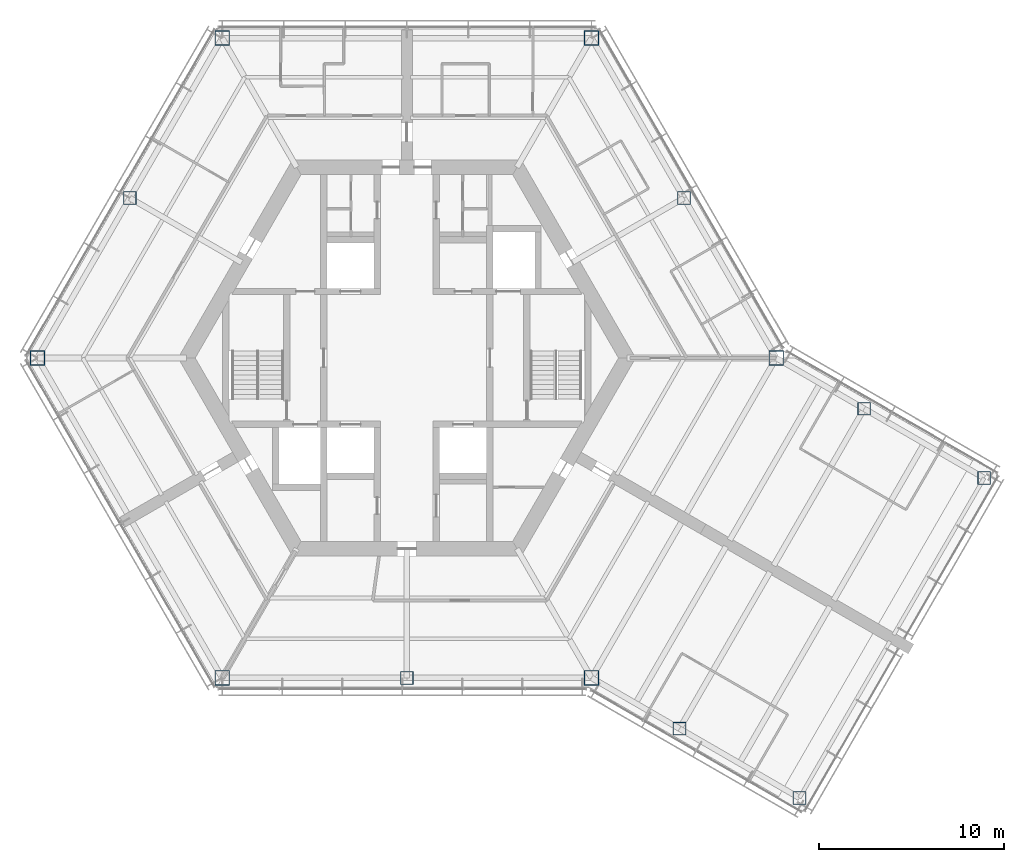
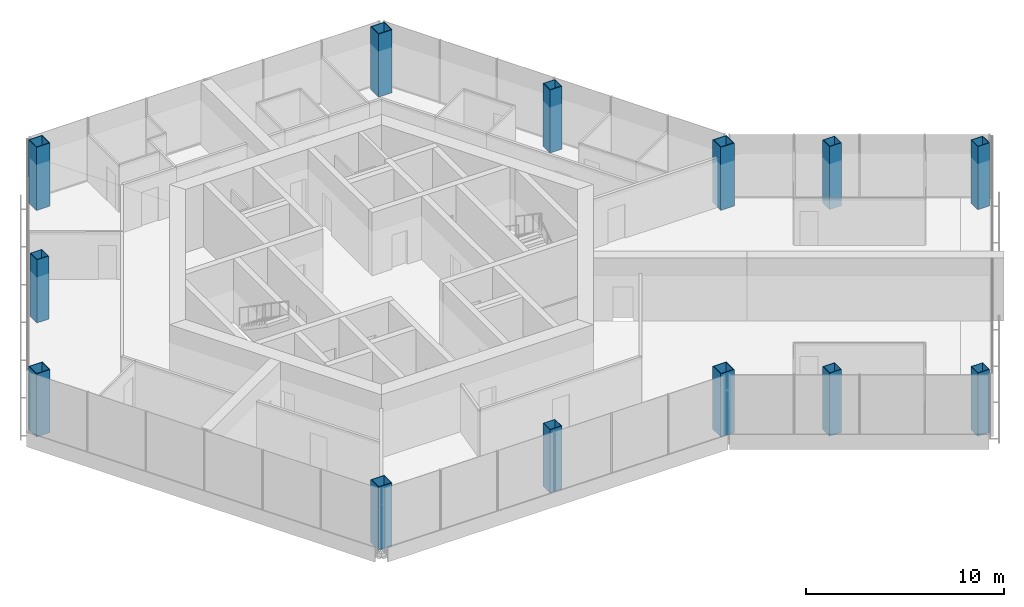
# One storey, part 1 of 15: 13 columns.
"""IFC4 building model written with IfcOpenShell, lengths in metres."""

from ifc_helpers import new_model, si_unit, direction, frame, origin, origin_2d, place, context, subcontext, project, spatial, hollow_rectangle, extrude, material, material_profile, profile_set, type_object, element, save


model = new_model("IFC4")

# Units and contexts
model_context = context("Model", 3, precision=1e-05, world=origin(), true_north=direction((0.0, 1.0)))
body_context = subcontext(model_context, "Body", "Model", "MODEL_VIEW")
ifc_project = project(units=[si_unit("LENGTHUNIT", "METRE"), si_unit("AREAUNIT", "SQUARE_METRE"), si_unit("VOLUMEUNIT", "CUBIC_METRE"), si_unit("PLANEANGLEUNIT", "RADIAN"), si_unit("MASSUNIT", "GRAM", prefix="KILO")], contexts=[model_context])

# Site, building, storey
site_placement = place(None, origin())
site = spatial("IfcSite", under=ifc_project, at=site_placement, CompositionType="ELEMENT")
building_placement = place(site_placement, origin())
building = spatial("IfcBuilding", under=site, at=building_placement, Name="Kasaneha Research Tower", CompositionType="ELEMENT")
storey_placement = place(building_placement, frame((0.0, 0.0, 220.60009765625)))
storey = spatial("IfcBuildingStorey", under=building, at=storey_placement, Name="L55", CompositionType="ELEMENT", Elevation=220.60009765625)

# Columns
ifc_material_1 = material(Name="Steel SN490C", Category="steel")
ifc_material_profile_1 = material_profile(ifc_material_1, hollow_rectangle(XDim=0.800048828125, YDim=0.800048828125, WallThickness=0.0400390625, at=origin_2d()), Name="BOX-800x800x40")
ifc_profile_set_1 = profile_set([ifc_material_profile_1], Name="Steel SN490C")
column_type_1 = type_object("IfcColumnType", Name="C4A column BOX-800x800x40", PredefinedType="COLUMN", material=ifc_profile_set_1)
for number, where, z_axis, x_axis, name in (
    (1, (20.0, 0.0, 0.0), (0.0, 0.0, 1.0), (1.0, 0.0, 0.0), "Column V0 L55"),
    (2, (10.0, 17.320556640625, 0.0), (0.0, 0.0, 1.0), (1.0, 0.0, 0.0), "Column V1 L55"),
    (3, (-10.0, 17.320556640625, 0.0), (0.0, 0.0, 1.0), (1.0, 0.0, 0.0), "Column V2 L55"),
    (4, (-20.0, 0.0, 0.0), (0.0, 0.0, 1.0), (1.0, 0.0, 0.0), "Column V3 L55"),
    (5, (-10.0, -17.320556640625, 0.0), (0.0, 0.0, 1.0), (1.0, 0.0, 0.0), "Column V4 L55"),
    (6, (10.0, -17.320556640625, 0.0), (0.0, 0.0, 1.0), (1.0, 0.0, 0.0), "Column V5 L55"),
):
    element("IfcColumn", number, at=place(storey_placement, frame(where, z_axis=z_axis, x_axis=x_axis)), inside=storey, type_object=column_type_1, Name=name, PredefinedType="COLUMN", context=body_context, shape_type="SweptSolid", body=[
        extrude(hollow_rectangle(XDim=0.800048828125, YDim=0.800048828125, WallThickness=0.0400390625, at=origin_2d()), origin(), (0.0, 0.0, 1.0), 3.89990234375),
    ])
ifc_material_2 = material(Name="Steel SN490C", Category="steel")
ifc_material_profile_2 = material_profile(ifc_material_2, hollow_rectangle(XDim=0.699951171875, YDim=0.699951171875, WallThickness=0.031982421875, at=origin_2d()), Name="BOX-700x700x32")
ifc_profile_set_2 = profile_set([ifc_material_profile_2], Name="Steel SN490C")
column_type_2 = type_object("IfcColumnType", Name="C4B column BOX-700x700x32", PredefinedType="COLUMN", material=ifc_profile_set_2)
for number, where, z_axis, x_axis, name in (
    (7, (15.0, 8.66015625, 0.0), (0.0, 0.0, 1.0), (1.0, 0.0, 0.0), "Column M030 L55"),
    (8, (-15.0, 8.66015625, 0.0), (0.0, 0.0, 1.0), (1.0, 0.0, 0.0), "Column M150 L55"),
    (9, (0.0, -17.320556640625, 0.0), (0.0, 0.0, 1.0), (1.0, 0.0, 0.0), "Column M270 L55"),
    (10, (14.76318359375, -20.070556640625, 0.0), (0.0, 0.0, 1.0), (1.0, 0.0, 0.0), "Column CSP L55"),
    (11, (21.25830078125, -23.820556640625, 0.0), (0.0, 0.0, 1.0), (1.0, 0.0, 0.0), "Column CTP L55"),
    (12, (24.76318359375, -2.75, 0.0), (0.0, 0.0, 1.0), (1.0, 0.0, 0.0), "Column CSN L55"),
    (13, (31.25830078125, -6.5, 0.0), (0.0, 0.0, 1.0), (1.0, 0.0, 0.0), "Column CTN L55"),
):
    element("IfcColumn", number, at=place(storey_placement, frame(where, z_axis=z_axis, x_axis=x_axis)), inside=storey, type_object=column_type_2, Name=name, PredefinedType="COLUMN", context=body_context, shape_type="SweptSolid", body=[
        extrude(hollow_rectangle(XDim=0.699951171875, YDim=0.699951171875, WallThickness=0.031982421875, at=origin_2d()), origin(), (0.0, 0.0, 1.0), 3.89990234375),
    ])

save(model, "model.ifc")
